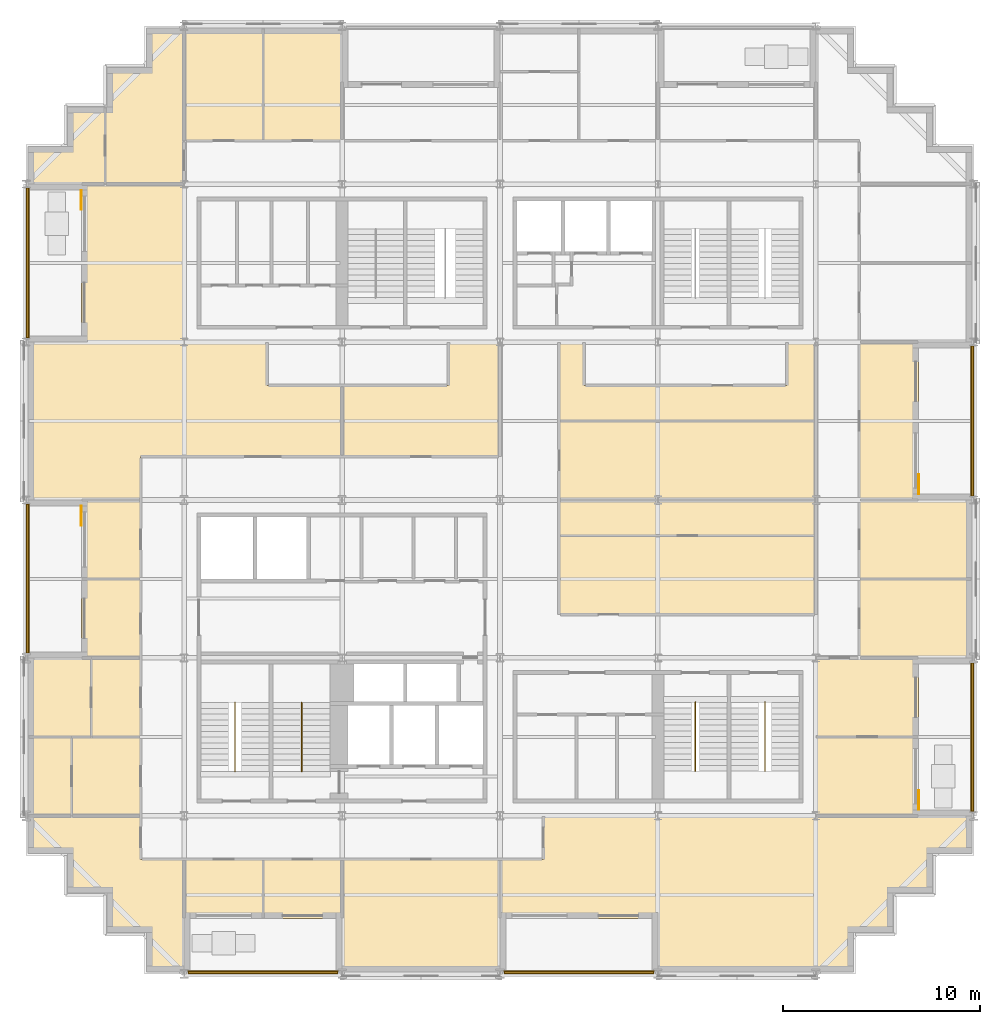
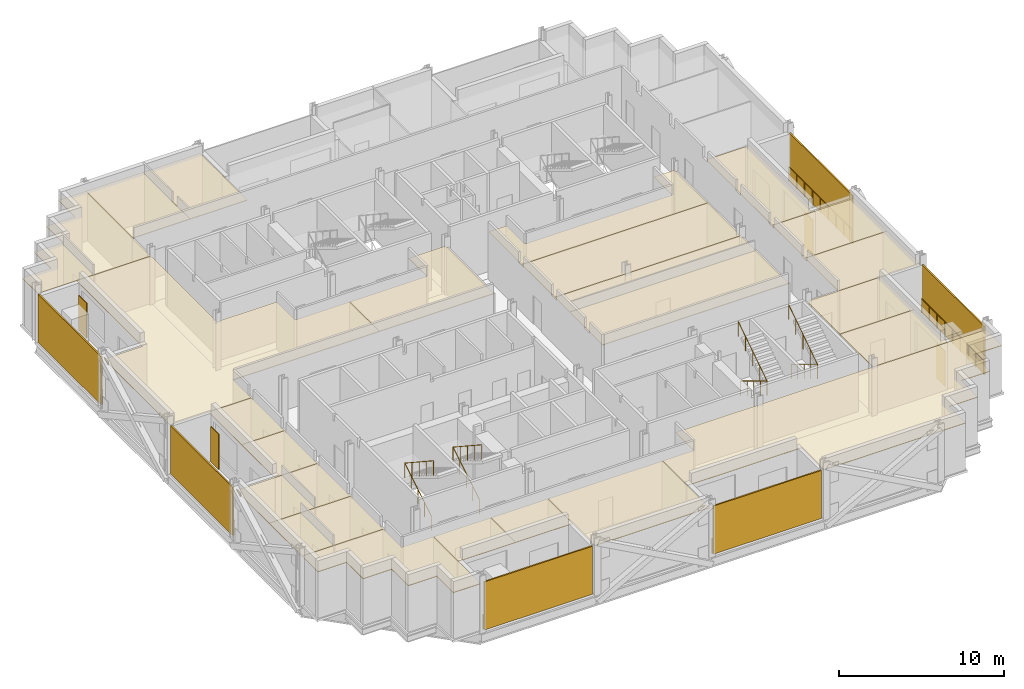
# One storey, part 13 of 15: 26 coverings, 10 railings, 10 shading devices.
"""IFC4 building model written with IfcOpenShell, lengths in metres."""

from ifc_helpers import new_model, si_unit, direction, frame, origin, origin_2d, place, context, subcontext, project, spatial, polyline, rectangle, circle, outline, extrude, material, layer, layer_set, type_object, element, save


model = new_model("IFC4")

# Units and contexts
model_context = context("Model", 3, precision=1e-05, world=origin(), true_north=direction((0.0, 1.0)))
body_context = subcontext(model_context, "Body", "Model", "MODEL_VIEW")
ifc_project = project(units=[si_unit("LENGTHUNIT", "METRE"), si_unit("AREAUNIT", "SQUARE_METRE"), si_unit("VOLUMEUNIT", "CUBIC_METRE"), si_unit("PLANEANGLEUNIT", "RADIAN"), si_unit("MASSUNIT", "GRAM", prefix="KILO")], contexts=[model_context])

# Site, building, storey
site_placement = place(None, origin())
site = spatial("IfcSite", under=ifc_project, at=site_placement, CompositionType="ELEMENT")
building_placement = place(site_placement, origin())
building = spatial("IfcBuilding", under=site, at=building_placement, Name="Immortelle Media Tower", CompositionType="ELEMENT")
storey_placement = place(building_placement, frame((0.0, 0.0, 100.800048828125)))
storey = spatial("IfcBuildingStorey", under=building, at=storey_placement, Name="L19", CompositionType="ELEMENT", Elevation=100.800048828125)

# Railings
ifc_material_1 = material(Name="Powder-coated aluminium fretwork panel, laminated glass backing", Category="aluminium")
railing_type_1 = type_object("IfcRailingType", Name="Fretwork balustrade 1100", PredefinedType="BALUSTRADE", material=ifc_material_1)
railing_1_placement = place(storey_placement, frame((0.139892578125, 39.806884765625, 0.0)))
element("IfcRailing", 1, at=railing_1_placement, inside=storey, type_object=railing_type_1, Name="Fretwork balustrade L19 W0", PredefinedType="BALUSTRADE", context=body_context, shape_type="SweptSolid", body=[
    extrude(circle(Radius=0.02490234375, at=origin_2d()), frame((0.0, 0.0, 1.0751953125), z_axis=(0.0, -1.0, 0.0), x_axis=(1.0, 0.0, 0.0)), (0.0, 0.0, 1.0), 7.598388671875),
    extrude(circle(Radius=0.02001953125, at=origin_2d()), origin(), (0.0, 0.0, 1.0), 1.050048828125),
    extrude(circle(Radius=0.02001953125, at=origin_2d()), frame((0.0, -0.94970703125, 0.0)), (0.0, 0.0, 1.0), 1.050048828125),
    extrude(circle(Radius=0.02001953125, at=origin_2d()), frame((0.0, -1.899658203125, 0.0)), (0.0, 0.0, 1.0), 1.050048828125),
    extrude(circle(Radius=0.02001953125, at=origin_2d()), frame((0.0, -2.849365234375, 0.0)), (0.0, 0.0, 1.0), 1.050048828125),
    extrude(circle(Radius=0.02001953125, at=origin_2d()), frame((0.0, -3.79931640625, 0.0)), (0.0, 0.0, 1.0), 1.050048828125),
    extrude(circle(Radius=0.02001953125, at=origin_2d()), frame((0.0, -4.7490234375, 0.0)), (0.0, 0.0, 1.0), 1.050048828125),
    extrude(circle(Radius=0.02001953125, at=origin_2d()), frame((0.0, -5.69873046875, 0.0)), (0.0, 0.0, 1.0), 1.050048828125),
    extrude(circle(Radius=0.02001953125, at=origin_2d()), frame((0.0, -6.648681640625, 0.0)), (0.0, 0.0, 1.0), 1.050048828125),
    extrude(circle(Radius=0.02001953125, at=origin_2d()), frame((0.0, -7.598388671875, 0.0)), (0.0, 0.0, 1.0), 1.050048828125),
])
railing_2_placement = place(storey_placement, frame((0.139892578125, 23.79150390625, 0.0)))
element("IfcRailing", 2, at=railing_2_placement, inside=storey, type_object=railing_type_1, Name="Fretwork balustrade L19 W2", PredefinedType="BALUSTRADE", context=body_context, shape_type="SweptSolid", body=[
    extrude(circle(Radius=0.02490234375, at=origin_2d()), frame((0.0, 0.0, 1.0751953125), z_axis=(0.0, -1.0, 0.0), x_axis=(1.0, 0.0, 0.0)), (0.0, 0.0, 1.0), 7.54248046875),
    extrude(circle(Radius=0.02001953125, at=origin_2d()), origin(), (0.0, 0.0, 1.0), 1.050048828125),
    extrude(circle(Radius=0.02001953125, at=origin_2d()), frame((0.0, -0.94287109375, 0.0)), (0.0, 0.0, 1.0), 1.050048828125),
    extrude(circle(Radius=0.02001953125, at=origin_2d()), frame((0.0, -1.8857421875, 0.0)), (0.0, 0.0, 1.0), 1.050048828125),
    extrude(circle(Radius=0.02001953125, at=origin_2d()), frame((0.0, -2.828369140625, 0.0)), (0.0, 0.0, 1.0), 1.050048828125),
    extrude(circle(Radius=0.02001953125, at=origin_2d()), frame((0.0, -3.771240234375, 0.0)), (0.0, 0.0, 1.0), 1.050048828125),
    extrude(circle(Radius=0.02001953125, at=origin_2d()), frame((0.0, -4.714111328125, 0.0)), (0.0, 0.0, 1.0), 1.050048828125),
    extrude(circle(Radius=0.02001953125, at=origin_2d()), frame((0.0, -5.65673828125, 0.0)), (0.0, 0.0, 1.0), 1.050048828125),
    extrude(circle(Radius=0.02001953125, at=origin_2d()), frame((0.0, -6.599609375, 0.0)), (0.0, 0.0, 1.0), 1.050048828125),
    extrude(circle(Radius=0.02001953125, at=origin_2d()), frame((0.0, -7.54248046875, 0.0)), (0.0, 0.0, 1.0), 1.050048828125),
])
railing_3_placement = place(storey_placement, frame((8.20947265625, 0.139892578125, 0.0)))
element("IfcRailing", 3, at=railing_3_placement, inside=storey, type_object=railing_type_1, Name="Fretwork balustrade L19 S0", PredefinedType="BALUSTRADE", context=body_context, shape_type="SweptSolid", body=[
    extrude(circle(Radius=0.02490234375, at=origin_2d()), frame((0.0, 0.0, 1.0751953125), z_axis=(1.0, 0.0, 0.0), x_axis=(0.0, 1.0, 0.0)), (0.0, 0.0, 1.0), 7.574462890625),
    extrude(circle(Radius=0.02001953125, at=origin_2d()), origin(), (0.0, 0.0, 1.0), 1.050048828125),
    extrude(circle(Radius=0.02001953125, at=origin_2d()), frame((0.94677734375, 0.0, 0.0)), (0.0, 0.0, 1.0), 1.050048828125),
    extrude(circle(Radius=0.02001953125, at=origin_2d()), frame((1.8935546875, 0.0, 0.0)), (0.0, 0.0, 1.0), 1.050048828125),
    extrude(circle(Radius=0.02001953125, at=origin_2d()), frame((2.84033203125, 0.0, 0.0)), (0.0, 0.0, 1.0), 1.050048828125),
    extrude(circle(Radius=0.02001953125, at=origin_2d()), frame((3.787109375, 0.0, 0.0)), (0.0, 0.0, 1.0), 1.050048828125),
    extrude(circle(Radius=0.02001953125, at=origin_2d()), frame((4.734130859375, 0.0, 0.0)), (0.0, 0.0, 1.0), 1.050048828125),
    extrude(circle(Radius=0.02001953125, at=origin_2d()), frame((5.680908203125, 0.0, 0.0)), (0.0, 0.0, 1.0), 1.050048828125),
    extrude(circle(Radius=0.02001953125, at=origin_2d()), frame((6.627685546875, 0.0, 0.0)), (0.0, 0.0, 1.0), 1.050048828125),
    extrude(circle(Radius=0.02001953125, at=origin_2d()), frame((7.574462890625, 0.0, 0.0)), (0.0, 0.0, 1.0), 1.050048828125),
])
railing_4_placement = place(storey_placement, frame((24.216064453125, 0.139892578125, 0.0)))
element("IfcRailing", 4, at=railing_4_placement, inside=storey, type_object=railing_type_1, Name="Fretwork balustrade L19 S2", PredefinedType="BALUSTRADE", context=body_context, shape_type="SweptSolid", body=[
    extrude(circle(Radius=0.02490234375, at=origin_2d()), frame((0.0, 0.0, 1.0751953125), z_axis=(1.0, 0.0, 0.0), x_axis=(0.0, 1.0, 0.0)), (0.0, 0.0, 1.0), 7.56787109375),
    extrude(circle(Radius=0.02001953125, at=origin_2d()), origin(), (0.0, 0.0, 1.0), 1.050048828125),
    extrude(circle(Radius=0.02001953125, at=origin_2d()), frame((0.946044921875, 0.0, 0.0)), (0.0, 0.0, 1.0), 1.050048828125),
    extrude(circle(Radius=0.02001953125, at=origin_2d()), frame((1.89208984375, 0.0, 0.0)), (0.0, 0.0, 1.0), 1.050048828125),
    extrude(circle(Radius=0.02001953125, at=origin_2d()), frame((2.837890625, 0.0, 0.0)), (0.0, 0.0, 1.0), 1.050048828125),
    extrude(circle(Radius=0.02001953125, at=origin_2d()), frame((3.783935546875, 0.0, 0.0)), (0.0, 0.0, 1.0), 1.050048828125),
    extrude(circle(Radius=0.02001953125, at=origin_2d()), frame((4.72998046875, 0.0, 0.0)), (0.0, 0.0, 1.0), 1.050048828125),
    extrude(circle(Radius=0.02001953125, at=origin_2d()), frame((5.67578125, 0.0, 0.0)), (0.0, 0.0, 1.0), 1.050048828125),
    extrude(circle(Radius=0.02001953125, at=origin_2d()), frame((6.621826171875, 0.0, 0.0)), (0.0, 0.0, 1.0), 1.050048828125),
    extrude(circle(Radius=0.02001953125, at=origin_2d()), frame((7.56787109375, 0.0, 0.0)), (0.0, 0.0, 1.0), 1.050048828125),
])
railing_5_placement = place(storey_placement, frame((47.860107421875, 8.2275390625, 0.0)))
element("IfcRailing", 5, at=railing_5_placement, inside=storey, type_object=railing_type_1, Name="Fretwork balustrade L19 E0", PredefinedType="BALUSTRADE", context=body_context, shape_type="SweptSolid", body=[
    extrude(circle(Radius=0.02490234375, at=origin_2d()), frame((0.0, 0.0, 1.0751953125), z_axis=(0.0, 1.0, 0.0), x_axis=(-1.0, 0.0, 0.0)), (0.0, 0.0, 1.0), 7.5234375),
    extrude(circle(Radius=0.02001953125, at=origin_2d()), origin(), (0.0, 0.0, 1.0), 1.050048828125),
    extrude(circle(Radius=0.02001953125, at=origin_2d()), frame((0.0, 0.9404296875, 0.0)), (0.0, 0.0, 1.0), 1.050048828125),
    extrude(circle(Radius=0.02001953125, at=origin_2d()), frame((0.0, 1.880859375, 0.0)), (0.0, 0.0, 1.0), 1.050048828125),
    extrude(circle(Radius=0.02001953125, at=origin_2d()), frame((0.0, 2.8212890625, 0.0)), (0.0, 0.0, 1.0), 1.050048828125),
    extrude(circle(Radius=0.02001953125, at=origin_2d()), frame((0.0, 3.76171875, 0.0)), (0.0, 0.0, 1.0), 1.050048828125),
    extrude(circle(Radius=0.02001953125, at=origin_2d()), frame((0.0, 4.7021484375, 0.0)), (0.0, 0.0, 1.0), 1.050048828125),
    extrude(circle(Radius=0.02001953125, at=origin_2d()), frame((0.0, 5.642578125, 0.0)), (0.0, 0.0, 1.0), 1.050048828125),
    extrude(circle(Radius=0.02001953125, at=origin_2d()), frame((0.0, 6.5830078125, 0.0)), (0.0, 0.0, 1.0), 1.050048828125),
    extrude(circle(Radius=0.02001953125, at=origin_2d()), frame((0.0, 7.5234375, 0.0)), (0.0, 0.0, 1.0), 1.050048828125),
])
railing_6_placement = place(storey_placement, frame((47.860107421875, 24.193115234375, 0.0)))
element("IfcRailing", 6, at=railing_6_placement, inside=storey, type_object=railing_type_1, Name="Fretwork balustrade L19 E2", PredefinedType="BALUSTRADE", context=body_context, shape_type="SweptSolid", body=[
    extrude(circle(Radius=0.02490234375, at=origin_2d()), frame((0.0, 0.0, 1.0751953125), z_axis=(0.0, 1.0, 0.0), x_axis=(-1.0, 0.0, 0.0)), (0.0, 0.0, 1.0), 7.61376953125),
    extrude(circle(Radius=0.02001953125, at=origin_2d()), origin(), (0.0, 0.0, 1.0), 1.050048828125),
    extrude(circle(Radius=0.02001953125, at=origin_2d()), frame((0.0, 0.95166015625, 0.0)), (0.0, 0.0, 1.0), 1.050048828125),
    extrude(circle(Radius=0.02001953125, at=origin_2d()), frame((0.0, 1.9033203125, 0.0)), (0.0, 0.0, 1.0), 1.050048828125),
    extrude(circle(Radius=0.02001953125, at=origin_2d()), frame((0.0, 2.855224609375, 0.0)), (0.0, 0.0, 1.0), 1.050048828125),
    extrude(circle(Radius=0.02001953125, at=origin_2d()), frame((0.0, 3.806884765625, 0.0)), (0.0, 0.0, 1.0), 1.050048828125),
    extrude(circle(Radius=0.02001953125, at=origin_2d()), frame((0.0, 4.758544921875, 0.0)), (0.0, 0.0, 1.0), 1.050048828125),
    extrude(circle(Radius=0.02001953125, at=origin_2d()), frame((0.0, 5.71044921875, 0.0)), (0.0, 0.0, 1.0), 1.050048828125),
    extrude(circle(Radius=0.02001953125, at=origin_2d()), frame((0.0, 6.662109375, 0.0)), (0.0, 0.0, 1.0), 1.050048828125),
    extrude(circle(Radius=0.02001953125, at=origin_2d()), frame((0.0, 7.61376953125, 0.0)), (0.0, 0.0, 1.0), 1.050048828125),
])

# Shading devices
ifc_material_2 = material(Name="Pale aluminium louvre blades", Category="aluminium")
ifc_layer_1 = layer(ifc_material_2, 0.10009765625)
ifc_layer_set_1 = layer_set([ifc_layer_1], Name="Pale aluminium louvre blades")
shading_device_type_1 = type_object("IfcShadingDeviceType", Name="Jalousie screen 100", PredefinedType="JALOUSIE", material=ifc_layer_set_1)
shading_device_1_placement = place(storey_placement, frame((0.050048828125, 36.0078125, 0.0), z_axis=(0.0, 0.0, 1.0), x_axis=(0.0, -1.0, 0.0)))
element("IfcShadingDevice", 7, at=shading_device_1_placement, inside=storey, type_object=shading_device_type_1, Name="Jalousie screen L19 W0", PredefinedType="JALOUSIE", context=body_context, shape_type="SweptSolid", body=[
    extrude(rectangle(XDim=7.598388671875, YDim=0.10009765625, at=origin_2d()), origin(), (0.0, 0.0, 1.0), 3.556884765625),
])
shading_device_2_placement = place(storey_placement, frame((0.050048828125, 20.020263671875, 0.0), z_axis=(0.0, 0.0, 1.0), x_axis=(0.0, -1.0, 0.0)))
element("IfcShadingDevice", 8, at=shading_device_2_placement, inside=storey, type_object=shading_device_type_1, Name="Jalousie screen L19 W2", PredefinedType="JALOUSIE", context=body_context, shape_type="SweptSolid", body=[
    extrude(rectangle(XDim=7.54248046875, YDim=0.10009765625, at=origin_2d()), origin(), (0.0, 0.0, 1.0), 3.556884765625),
])
shading_device_3_placement = place(storey_placement, frame((11.996826171875, 0.050048828125, 0.0), z_axis=(0.0, 0.0, 1.0), x_axis=(1.0, 0.0, 0.0)))
element("IfcShadingDevice", 9, at=shading_device_3_placement, inside=storey, type_object=shading_device_type_1, Name="Jalousie screen L19 S0", PredefinedType="JALOUSIE", context=body_context, shape_type="SweptSolid", body=[
    extrude(rectangle(XDim=7.574462890625, YDim=0.10009765625, at=origin_2d()), origin(), (0.0, 0.0, 1.0), 3.556884765625),
])
shading_device_4_placement = place(storey_placement, frame((28.0, 0.050048828125, 0.0), z_axis=(0.0, 0.0, 1.0), x_axis=(1.0, 0.0, 0.0)))
element("IfcShadingDevice", 10, at=shading_device_4_placement, inside=storey, type_object=shading_device_type_1, Name="Jalousie screen L19 S2", PredefinedType="JALOUSIE", context=body_context, shape_type="SweptSolid", body=[
    extrude(rectangle(XDim=7.568115234375, YDim=0.10009765625, at=origin_2d()), origin(), (0.0, 0.0, 1.0), 3.556884765625),
])
shading_device_5_placement = place(storey_placement, frame((47.949951171875, 11.9892578125, 0.0), z_axis=(0.0, 0.0, 1.0), x_axis=(0.0, 1.0, 0.0)))
element("IfcShadingDevice", 11, at=shading_device_5_placement, inside=storey, type_object=shading_device_type_1, Name="Jalousie screen L19 E0", PredefinedType="JALOUSIE", context=body_context, shape_type="SweptSolid", body=[
    extrude(rectangle(XDim=7.5234375, YDim=0.10009765625, at=origin_2d()), origin(), (0.0, 0.0, 1.0), 3.556884765625),
])
shading_device_6_placement = place(storey_placement, frame((47.949951171875, 28.0, 0.0), z_axis=(0.0, 0.0, 1.0), x_axis=(0.0, 1.0, 0.0)))
element("IfcShadingDevice", 12, at=shading_device_6_placement, inside=storey, type_object=shading_device_type_1, Name="Jalousie screen L19 E2", PredefinedType="JALOUSIE", context=body_context, shape_type="SweptSolid", body=[
    extrude(rectangle(XDim=7.614013671875, YDim=0.10009765625, at=origin_2d()), origin(), (0.0, 0.0, 1.0), 3.556884765625),
])
ifc_material_3 = material(Name="Pale aluminium louvre blades in a folding frame", Category="aluminium")
ifc_layer_2 = layer(ifc_material_3, 0.050048828125)
ifc_layer_set_2 = layer_set([ifc_layer_2], Name="Pale aluminium louvre blades in a folding frame")
shading_device_type_2 = type_object("IfcShadingDeviceType", Name="Louvred loggia shutter", PredefinedType="SHUTTER", material=ifc_layer_set_2)
for number, where, z_axis, x_axis, name in (
    (13, (2.77490234375, 39.199951171875, 0.0), (0.0, 0.0, 1.0), (0.0, -1.0, 0.0), "Loggia shutter L19 W0"),
    (14, (2.77490234375, 23.199951171875, 0.0), (0.0, 0.0, 1.0), (0.0, -1.0, 0.0), "Loggia shutter L19 W2"),
    (15, (45.22509765625, 8.800048828125, 0.0), (0.0, 0.0, 1.0), (0.0, 1.0, 0.0), "Loggia shutter L19 E0"),
    (16, (45.22509765625, 24.800048828125, 0.0), (0.0, 0.0, 1.0), (0.0, 1.0, 0.0), "Loggia shutter L19 E2"),
):
    element("IfcShadingDevice", number, at=place(storey_placement, frame(where, z_axis=z_axis, x_axis=x_axis)), inside=storey, type_object=shading_device_type_2, Name=name, PredefinedType="SHUTTER", context=body_context, shape_type="SweptSolid", body=[
        extrude(rectangle(XDim=1.0, YDim=0.050048828125, at=origin_2d()), origin(), (0.0, 0.0, 1.0), 2.60009765625),
    ])

# Railings
ifc_material_4 = material(Name="Stainless steel AISI 316", Category="steel")
railing_type_2 = type_object("IfcRailingType", Name="Stair guard 1100", PredefinedType="GUARDRAIL", material=ifc_material_4)
for number, where, name in (
    (17, (10.574951171875, 10.5400390625, 0.176025390625), "Stair guard SW1"),
    (18, (13.949951171875, 10.5400390625, 0.176025390625), "Stair guard SW2"),
):
    element("IfcRailing", number, at=place(storey_placement, frame(where)), inside=storey, type_object=railing_type_2, Name=name, PredefinedType="GUARDRAIL", context=body_context, shape_type="SweptSolid", body=[
        extrude(circle(Radius=0.02392578125, at=origin_2d()), frame((0.0, 0.0, 1.076171875), z_axis=(0.0, 0.854872504309, 0.518838126371), x_axis=(-1.0, 0.0, 0.0)), (0.0, 0.0, 1.0), 3.7314453125),
        extrude(circle(Radius=0.02392578125, at=origin_2d()), frame((0.0, 3.18994140625, 3.01220703125), z_axis=(0.0, -0.835595538677, 0.549345151743), x_axis=(1.0, 0.0, 0.0)), (0.0, 0.0, 1.0), 4.16455078125),
        extrude(circle(Radius=0.02099609375, at=origin_2d()), origin(), (0.0, 0.0, 1.0), 1.052001953125),
        extrude(circle(Radius=0.02099609375, at=origin_2d()), frame((0.0, 0.79736328125, 0.48388671875)), (0.0, 0.0, 1.0), 1.052001953125),
        extrude(circle(Radius=0.02099609375, at=origin_2d()), frame((0.0, 1.594970703125, 0.968017578125)), (0.0, 0.0, 1.0), 1.052001953125),
        extrude(circle(Radius=0.02099609375, at=origin_2d()), frame((0.0, 2.392578125, 1.4521484375)), (0.0, 0.0, 1.0), 1.052001953125),
        extrude(circle(Radius=0.02099609375, at=origin_2d()), frame((0.0, 3.18994140625, 1.93603515625)), (0.0, 0.0, 1.0), 1.052001953125),
        extrude(circle(Radius=0.02099609375, at=origin_2d()), frame((0.0, 2.31982421875, 2.508056640625)), (0.0, 0.0, 1.0), 1.052001953125),
        extrude(circle(Radius=0.02099609375, at=origin_2d()), frame((0.0, 1.449951171875, 3.080078125)), (0.0, 0.0, 1.0), 1.052001953125),
        extrude(circle(Radius=0.02099609375, at=origin_2d()), frame((0.0, 0.580078125, 3.65185546875)), (0.0, 0.0, 1.0), 1.052001953125),
        extrude(circle(Radius=0.02099609375, at=origin_2d()), frame((0.0, -0.2900390625, 4.223876953125)), (0.0, 0.0, 1.0), 1.052001953125),
    ])
for number, where, name in (
    (19, (33.89990234375, 13.4599609375, 0.176025390625), "Stair guard SE1"),
    (20, (37.425048828125, 13.4599609375, 0.176025390625), "Stair guard SE2"),
):
    element("IfcRailing", number, at=place(storey_placement, frame(where)), inside=storey, type_object=railing_type_2, Name=name, PredefinedType="GUARDRAIL", context=body_context, shape_type="SweptSolid", body=[
        extrude(circle(Radius=0.02392578125, at=origin_2d()), frame((0.0, 0.0, 1.076171875), z_axis=(0.0, -0.854872504309, 0.518838126371), x_axis=(1.0, 0.0, 0.0)), (0.0, 0.0, 1.0), 3.7314453125),
        extrude(circle(Radius=0.02392578125, at=origin_2d()), frame((0.0, -3.18994140625, 3.01220703125), z_axis=(0.0, 0.835595538677, 0.549345151743), x_axis=(-1.0, 0.0, 0.0)), (0.0, 0.0, 1.0), 4.16455078125),
        extrude(circle(Radius=0.02099609375, at=origin_2d()), origin(), (0.0, 0.0, 1.0), 1.052001953125),
        extrude(circle(Radius=0.02099609375, at=origin_2d()), frame((0.0, -0.79736328125, 0.48388671875)), (0.0, 0.0, 1.0), 1.052001953125),
        extrude(circle(Radius=0.02099609375, at=origin_2d()), frame((0.0, -1.594970703125, 0.968017578125)), (0.0, 0.0, 1.0), 1.052001953125),
        extrude(circle(Radius=0.02099609375, at=origin_2d()), frame((0.0, -2.392578125, 1.4521484375)), (0.0, 0.0, 1.0), 1.052001953125),
        extrude(circle(Radius=0.02099609375, at=origin_2d()), frame((0.0, -3.18994140625, 1.93603515625)), (0.0, 0.0, 1.0), 1.052001953125),
        extrude(circle(Radius=0.02099609375, at=origin_2d()), frame((0.0, -2.31982421875, 2.508056640625)), (0.0, 0.0, 1.0), 1.052001953125),
        extrude(circle(Radius=0.02099609375, at=origin_2d()), frame((0.0, -1.449951171875, 3.080078125)), (0.0, 0.0, 1.0), 1.052001953125),
        extrude(circle(Radius=0.02099609375, at=origin_2d()), frame((0.0, -0.580078125, 3.65185546875)), (0.0, 0.0, 1.0), 1.052001953125),
        extrude(circle(Radius=0.02099609375, at=origin_2d()), frame((0.0, 0.2900390625, 4.223876953125)), (0.0, 0.0, 1.0), 1.052001953125),
    ])

# Coverings
ifc_material_5 = material(Name="Mineral fibre tile ceiling")
ifc_layer_3 = layer(ifc_material_5, 0.050048828125)
ifc_layer_set_3 = layer_set([ifc_layer_3], Name="Mineral fibre tile ceiling")
covering_type = type_object("IfcCoveringType", Name="Suspended ceiling 50", PredefinedType="CEILING", material=ifc_layer_set_3)
covering_1_placement = place(storey_placement, frame((0.0, 0.0, 3.419921875)))
element("IfcCovering", 21, at=covering_1_placement, inside=storey, type_object=covering_type, Name="Ceiling L19-001", PredefinedType="CEILING", context=body_context, shape_type="SweptSolid", body=[
    extrude(outline(polyline([(16.0, 0.10009765625), (16.0, 2.800048828125), (16.0, 5.800048828125), (24.0, 5.800048828125), (24.0, 2.800048828125), (24.0, 0.10009765625), (16.0, 0.10009765625)])), origin(), (0.0, 0.0, 1.0), 0.050048828125),
])
covering_2_placement = place(storey_placement, frame((0.0, 0.0, 3.419921875)))
element("IfcCovering", 22, at=covering_2_placement, inside=storey, type_object=covering_type, Name="Ceiling L19-002", PredefinedType="CEILING", context=body_context, shape_type="SweptSolid", body=[
    extrude(outline(polyline([(8.0, 5.800048828125), (12.0, 5.800048828125), (12.0, 2.800048828125), (8.0, 2.800048828125), (8.0, 5.800048828125)])), origin(), (0.0, 0.0, 1.0), 0.050048828125),
])
covering_3_placement = place(storey_placement, frame((0.0, 0.0, 3.419921875)))
element("IfcCovering", 23, at=covering_3_placement, inside=storey, type_object=covering_type, Name="Ceiling L19-003", PredefinedType="CEILING", context=body_context, shape_type="SweptSolid", body=[
    extrude(outline(polyline([(16.0, 5.800048828125), (16.0, 2.800048828125), (12.0, 2.800048828125), (12.0, 5.800048828125), (16.0, 5.800048828125)])), origin(), (0.0, 0.0, 1.0), 0.050048828125),
])
covering_4_placement = place(storey_placement, frame((0.0, 0.0, 3.419921875)))
element("IfcCovering", 24, at=covering_4_placement, inside=storey, type_object=covering_type, Name="Ceiling L19-004", PredefinedType="CEILING", context=body_context, shape_type="SweptSolid", body=[
    extrude(outline(polyline([(24.0, 2.800048828125), (24.0, 5.800048828125), (26.199951171875, 5.800048828125), (26.199951171875, 8.0), (32.0, 8.0), (40.0, 8.0), (45.199951171875, 8.0), (47.89990234375, 8.0), (47.89990234375, 6.10009765625), (45.89990234375, 6.10009765625), (45.89990234375, 4.10009765625), (43.89990234375, 4.10009765625), (43.89990234375, 2.10009765625), (41.89990234375, 2.10009765625), (41.89990234375, 0.10009765625), (40.0, 0.10009765625), (32.0, 0.10009765625), (32.0, 2.800048828125), (24.0, 2.800048828125)])), origin(), (0.0, 0.0, 1.0), 0.050048828125),
])
covering_5_placement = place(storey_placement, frame((0.0, 0.0, 3.419921875)))
element("IfcCovering", 25, at=covering_5_placement, inside=storey, type_object=covering_type, Name="Ceiling L19-005", PredefinedType="CEILING", context=body_context, shape_type="SweptSolid", body=[
    extrude(outline(polyline([(4.10009765625, 2.10009765625), (4.10009765625, 4.10009765625), (2.10009765625, 4.10009765625), (2.10009765625, 6.10009765625), (0.10009765625, 6.10009765625), (0.10009765625, 8.0), (5.800048828125, 8.0), (5.800048828125, 5.800048828125), (8.0, 5.800048828125), (8.0, 2.800048828125), (8.0, 0.10009765625), (6.10009765625, 0.10009765625), (6.10009765625, 2.10009765625), (4.10009765625, 2.10009765625)])), origin(), (0.0, 0.0, 1.0), 0.050048828125),
])
covering_6_placement = place(storey_placement, frame((0.0, 0.0, 3.419921875)))
element("IfcCovering", 26, at=covering_6_placement, inside=storey, type_object=covering_type, Name="Ceiling L19-006", PredefinedType="CEILING", context=body_context, shape_type="SweptSolid", body=[
    extrude(outline(polyline([(5.800048828125, 12.0), (5.800048828125, 8.0), (2.300048828125, 8.0), (2.300048828125, 12.0), (5.800048828125, 12.0)])), origin(), (0.0, 0.0, 1.0), 0.050048828125),
])
covering_7_placement = place(storey_placement, frame((0.0, 0.0, 3.419921875)))
element("IfcCovering", 27, at=covering_7_placement, inside=storey, type_object=covering_type, Name="Ceiling L19-007", PredefinedType="CEILING", context=body_context, shape_type="SweptSolid", body=[
    extrude(outline(polyline([(2.300048828125, 12.0), (2.300048828125, 8.0), (0.10009765625, 8.0), (0.10009765625, 12.0), (2.300048828125, 12.0)])), origin(), (0.0, 0.0, 1.0), 0.050048828125),
])
covering_8_placement = place(storey_placement, frame((0.0, 0.0, 3.419921875)))
element("IfcCovering", 28, at=covering_8_placement, inside=storey, type_object=covering_type, Name="Ceiling L19-008", PredefinedType="CEILING", context=body_context, shape_type="SweptSolid", body=[
    extrude(outline(polyline([(5.800048828125, 16.0), (5.800048828125, 12.0), (3.300048828125, 12.0), (3.300048828125, 16.0), (5.800048828125, 16.0)])), origin(), (0.0, 0.0, 1.0), 0.050048828125),
])
covering_9_placement = place(storey_placement, frame((0.0, 0.0, 3.419921875)))
element("IfcCovering", 29, at=covering_9_placement, inside=storey, type_object=covering_type, Name="Ceiling L19-009", PredefinedType="CEILING", context=body_context, shape_type="SweptSolid", body=[
    extrude(outline(polyline([(2.800048828125, 16.0), (3.300048828125, 16.0), (3.300048828125, 12.0), (0.10009765625, 12.0), (0.10009765625, 16.0), (2.800048828125, 16.0)])), origin(), (0.0, 0.0, 1.0), 0.050048828125),
])
covering_10_placement = place(storey_placement, frame((0.0, 0.0, 3.419921875)))
element("IfcCovering", 30, at=covering_10_placement, inside=storey, type_object=covering_type, Name="Ceiling L19-010", PredefinedType="CEILING", context=body_context, shape_type="SweptSolid", body=[
    extrude(outline(polyline([(40.0, 16.0), (42.199951171875, 16.0), (45.199951171875, 16.0), (45.199951171875, 12.0), (40.0, 12.0), (40.0, 16.0)])), origin(), (0.0, 0.0, 1.0), 0.050048828125),
])
covering_11_placement = place(storey_placement, frame((0.0, 0.0, 3.419921875)))
element("IfcCovering", 31, at=covering_11_placement, inside=storey, type_object=covering_type, Name="Ceiling L19-011", PredefinedType="CEILING", context=body_context, shape_type="SweptSolid", body=[
    extrude(outline(polyline([(40.0, 8.0), (40.0, 12.0), (45.199951171875, 12.0), (45.199951171875, 8.0), (40.0, 8.0)])), origin(), (0.0, 0.0, 1.0), 0.050048828125),
])
covering_12_placement = place(storey_placement, frame((0.0, 0.0, 3.419921875)))
element("IfcCovering", 32, at=covering_12_placement, inside=storey, type_object=covering_type, Name="Ceiling L19-012", PredefinedType="CEILING", context=body_context, shape_type="SweptSolid", body=[
    extrude(outline(polyline([(5.800048828125, 16.0), (2.800048828125, 16.0), (2.800048828125, 20.0), (5.800048828125, 20.0), (5.800048828125, 19.449951171875), (5.800048828125, 16.0)])), origin(), (0.0, 0.0, 1.0), 0.050048828125),
])
covering_13_placement = place(storey_placement, frame((0.0, 0.0, 3.419921875)))
element("IfcCovering", 33, at=covering_13_placement, inside=storey, type_object=covering_type, Name="Ceiling L19-013", PredefinedType="CEILING", context=body_context, shape_type="SweptSolid", body=[
    extrude(outline(polyline([(2.800048828125, 24.0), (5.800048828125, 24.0), (5.800048828125, 20.0), (2.800048828125, 20.0), (2.800048828125, 24.0)])), origin(), (0.0, 0.0, 1.0), 0.050048828125),
])
covering_14_placement = place(storey_placement, frame((0.0, 0.0, 3.419921875)))
element("IfcCovering", 34, at=covering_14_placement, inside=storey, type_object=covering_type, Name="Ceiling L19-014", PredefinedType="CEILING", context=body_context, shape_type="SweptSolid", body=[
    extrude(outline(polyline([(42.199951171875, 16.0), (42.199951171875, 20.0), (47.89990234375, 20.0), (47.89990234375, 16.0), (45.199951171875, 16.0), (42.199951171875, 16.0)])), origin(), (0.0, 0.0, 1.0), 0.050048828125),
])
covering_15_placement = place(storey_placement, frame((0.0, 0.0, 3.419921875)))
element("IfcCovering", 35, at=covering_15_placement, inside=storey, type_object=covering_type, Name="Ceiling L19-015", PredefinedType="CEILING", context=body_context, shape_type="SweptSolid", body=[
    extrude(outline(polyline([(42.199951171875, 24.0), (45.199951171875, 24.0), (47.89990234375, 24.0), (47.89990234375, 20.0), (42.199951171875, 20.0), (42.199951171875, 24.0)])), origin(), (0.0, 0.0, 1.0), 0.050048828125),
])
covering_16_placement = place(storey_placement, frame((0.0, 0.0, 3.419921875)))
element("IfcCovering", 36, at=covering_16_placement, inside=storey, type_object=covering_type, Name="Ceiling L19-016", PredefinedType="CEILING", context=body_context, shape_type="SweptSolid", body=[
    extrude(outline(polyline([(27.0, 22.199951171875), (40.0, 22.199951171875), (40.0, 18.199951171875), (38.550048828125, 18.199951171875), (36.0, 18.199951171875), (32.0, 18.199951171875), (27.0, 18.199951171875), (27.0, 22.199951171875)])), origin(), (0.0, 0.0, 1.0), 0.050048828125),
])
covering_17_placement = place(storey_placement, frame((0.0, 0.0, 3.419921875)))
element("IfcCovering", 37, at=covering_17_placement, inside=storey, type_object=covering_type, Name="Ceiling L19-017", PredefinedType="CEILING", context=body_context, shape_type="SweptSolid", body=[
    extrude(outline(polyline([(27.0, 24.0), (32.0, 24.0), (40.0, 24.0), (40.0, 22.199951171875), (27.0, 22.199951171875), (27.0, 24.0)])), origin(), (0.0, 0.0, 1.0), 0.050048828125),
])
covering_18_placement = place(storey_placement, frame((0.0, 0.0, 3.419921875)))
element("IfcCovering", 38, at=covering_18_placement, inside=storey, type_object=covering_type, Name="Ceiling L19-018", PredefinedType="CEILING", context=body_context, shape_type="SweptSolid", body=[
    extrude(outline(polyline([(40.0, 24.0), (32.0, 24.0), (27.0, 24.0), (27.0, 28.0), (40.0, 28.0), (40.0, 24.0)])), origin(), (0.0, 0.0, 1.0), 0.050048828125),
])
covering_19_placement = place(storey_placement, frame((0.0, 0.0, 3.419921875)))
element("IfcCovering", 39, at=covering_19_placement, inside=storey, type_object=covering_type, Name="Ceiling L19-019", PredefinedType="CEILING", context=body_context, shape_type="SweptSolid", body=[
    extrude(outline(polyline([(28.25, 32.0), (28.25, 29.800048828125), (32.0, 29.800048828125), (38.550048828125, 29.800048828125), (38.550048828125, 32.0), (40.0, 32.0), (40.0, 28.0), (27.0, 28.0), (27.0, 32.0), (28.25, 32.0)])), origin(), (0.0, 0.0, 1.0), 0.050048828125),
])
covering_20_placement = place(storey_placement, frame((0.0, 0.0, 3.419921875)))
element("IfcCovering", 40, at=covering_20_placement, inside=storey, type_object=covering_type, Name="Ceiling L19-020", PredefinedType="CEILING", context=body_context, shape_type="SweptSolid", body=[
    extrude(outline(polyline([(45.199951171875, 24.0), (42.199951171875, 24.0), (42.199951171875, 32.0), (45.199951171875, 32.0), (45.199951171875, 24.0)])), origin(), (0.0, 0.0, 1.0), 0.050048828125),
])
covering_21_placement = place(storey_placement, frame((0.0, 0.0, 3.419921875)))
element("IfcCovering", 41, at=covering_21_placement, inside=storey, type_object=covering_type, Name="Ceiling L19-021", PredefinedType="CEILING", context=body_context, shape_type="SweptSolid", body=[
    extrude(outline(polyline([(16.0, 26.199951171875), (16.0, 29.800048828125), (21.39990234375, 29.800048828125), (21.39990234375, 32.0), (24.0, 32.0), (24.0, 26.199951171875), (16.0, 26.199951171875)])), origin(), (0.0, 0.0, 1.0), 0.050048828125),
])
covering_22_placement = place(storey_placement, frame((0.0, 0.0, 3.419921875)))
element("IfcCovering", 42, at=covering_22_placement, inside=storey, type_object=covering_type, Name="Ceiling L19-022", PredefinedType="CEILING", context=body_context, shape_type="SweptSolid", body=[
    extrude(outline(polyline([(12.199951171875, 32.0), (12.199951171875, 29.800048828125), (16.0, 29.800048828125), (16.0, 26.199951171875), (8.0, 26.199951171875), (5.800048828125, 26.199951171875), (5.800048828125, 24.0), (2.800048828125, 24.0), (0.10009765625, 24.0), (0.10009765625, 32.0), (2.800048828125, 32.0), (2.800048828125, 40.0), (8.0, 40.0), (8.0, 32.0), (12.199951171875, 32.0)])), origin(), (0.0, 0.0, 1.0), 0.050048828125),
])
covering_23_placement = place(storey_placement, frame((0.0, 0.0, 3.419921875)))
element("IfcCovering", 43, at=covering_23_placement, inside=storey, type_object=covering_type, Name="Ceiling L19-025", PredefinedType="CEILING", context=body_context, shape_type="SweptSolid", body=[
    extrude(outline(polyline([(4.10009765625, 43.89990234375), (4.10009765625, 44.0), (4.10009765625, 45.89990234375), (6.10009765625, 45.89990234375), (6.10009765625, 47.89990234375), (8.0, 47.89990234375), (8.0, 44.0), (8.0, 42.199951171875), (8.0, 40.0), (4.0, 40.0), (4.0, 43.89990234375), (4.10009765625, 43.89990234375)])), origin(), (0.0, 0.0, 1.0), 0.050048828125),
])
covering_24_placement = place(storey_placement, frame((0.0, 0.0, 3.419921875)))
element("IfcCovering", 44, at=covering_24_placement, inside=storey, type_object=covering_type, Name="Ceiling L19-026", PredefinedType="CEILING", context=body_context, shape_type="SweptSolid", body=[
    extrude(outline(polyline([(2.10009765625, 41.89990234375), (2.10009765625, 43.89990234375), (4.0, 43.89990234375), (4.0, 40.0), (2.800048828125, 40.0), (0.10009765625, 40.0), (0.10009765625, 41.89990234375), (2.10009765625, 41.89990234375)])), origin(), (0.0, 0.0, 1.0), 0.050048828125),
])
covering_25_placement = place(storey_placement, frame((0.0, 0.0, 3.419921875)))
element("IfcCovering", 45, at=covering_25_placement, inside=storey, type_object=covering_type, Name="Ceiling L19-030", PredefinedType="CEILING", context=body_context, shape_type="SweptSolid", body=[
    extrude(outline(polyline([(8.0, 47.89990234375), (12.0, 47.89990234375), (12.0, 42.199951171875), (8.0, 42.199951171875), (8.0, 47.89990234375)])), origin(), (0.0, 0.0, 1.0), 0.050048828125),
])
covering_26_placement = place(storey_placement, frame((0.0, 0.0, 3.419921875)))
element("IfcCovering", 46, at=covering_26_placement, inside=storey, type_object=covering_type, Name="Ceiling L19-031", PredefinedType="CEILING", context=body_context, shape_type="SweptSolid", body=[
    extrude(outline(polyline([(16.0, 47.89990234375), (16.0, 45.199951171875), (16.0, 42.199951171875), (12.0, 42.199951171875), (12.0, 47.89990234375), (16.0, 47.89990234375)])), origin(), (0.0, 0.0, 1.0), 0.050048828125),
])

save(model, "model.ifc")
